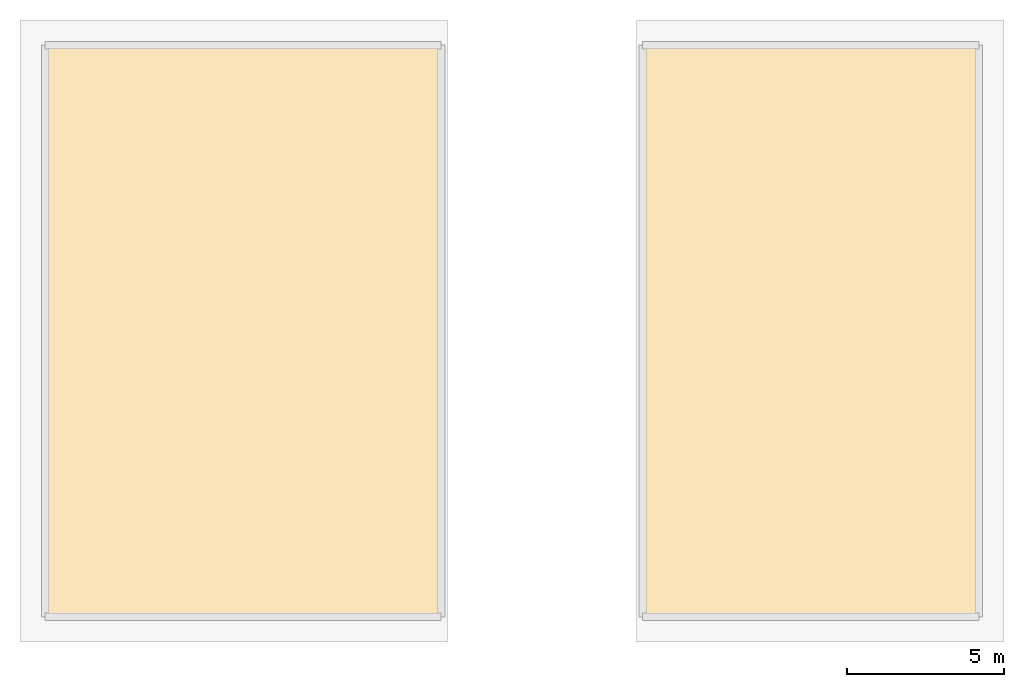
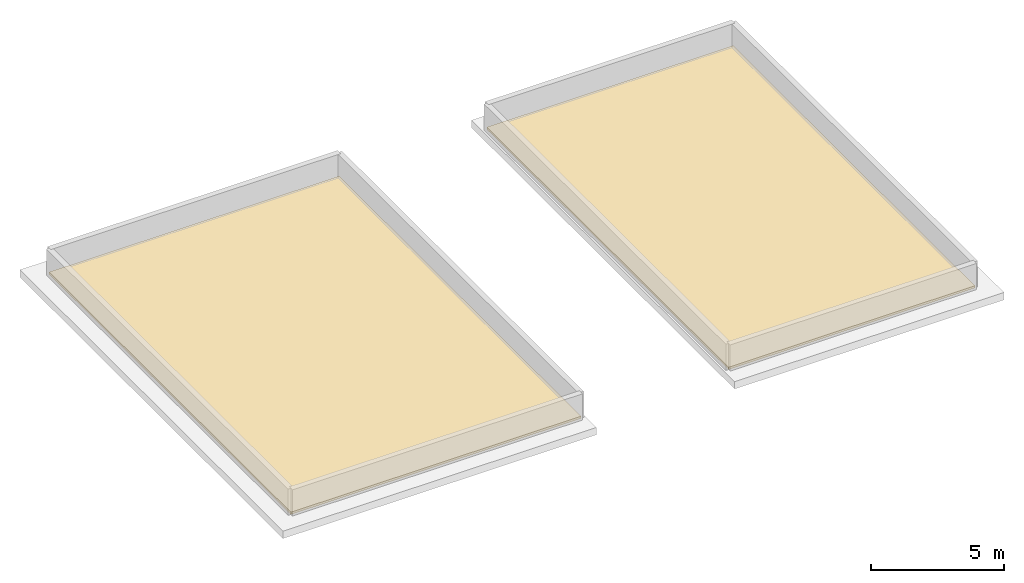
# One storey, part 2 of 2: 2 coverings.
"""IFC4 building model written with IfcOpenShell, lengths in metres."""

from ifc_helpers import new_model, si_unit, direction, frame, origin, place, context, subcontext, project, spatial, polyline, outline, extrude, material, layer, layer_set, type_object, element, save


model = new_model("IFC4")

# Units and contexts
model_context = context("Model", 3, precision=1e-05, world=origin(), true_north=direction((0.0, 1.0)))
body_context = subcontext(model_context, "Body", "Model", "MODEL_VIEW")
ifc_project = project(units=[si_unit("LENGTHUNIT", "METRE"), si_unit("AREAUNIT", "SQUARE_METRE"), si_unit("VOLUMEUNIT", "CUBIC_METRE"), si_unit("PLANEANGLEUNIT", "RADIAN"), si_unit("MASSUNIT", "GRAM", prefix="KILO")], contexts=[model_context])

# Site, building, storey
site_placement = place(None, origin())
site = spatial("IfcSite", under=ifc_project, at=site_placement, CompositionType="ELEMENT")
building_placement = place(site_placement, origin())
building = spatial("IfcBuilding", under=site, at=building_placement, Name="Solanera Arch Residences", CompositionType="ELEMENT")
storey_placement = place(building_placement, frame((0.0, 0.0, 302.580078125)))
storey = spatial("IfcBuildingStorey", under=building, at=storey_placement, Name="ROOF", CompositionType="ELEMENT", Elevation=302.580078125)

# Coverings
ifc_material = material(Name="TPO Insulated Waterproofing Membrane", Category="membrane")
ifc_layer = layer(ifc_material, 0.10009765625)
ifc_layer_set = layer_set([ifc_layer], Name="TPO Insulated Waterproofing Membrane")
covering_type = type_object("IfcCoveringType", Name="Insulated Roof Membrane RFG-100", PredefinedType="ROOFING", material=ifc_layer_set)
covering_1_placement = place(storey_placement, frame((0.0, 0.0, 0.33984375)))
element("IfcCovering", 1, at=covering_1_placement, inside=storey, type_object=covering_type, Name="Crown W Peak TPO Roof Membrane", PredefinedType="ROOFING", context=body_context, shape_type="SweptSolid", body=[
    extrude(outline(polyline([(10.219970703125, 21.6201171875), (22.800048828125, 21.6201171875), (22.800048828125, 39.780029296875), (10.219970703125, 39.780029296875), (10.219970703125, 21.6201171875)])), origin(), (0.0, 0.0, 1.0), 0.10009765625),
])
covering_2_placement = place(storey_placement, frame((0.0, 0.0, 0.33984375)))
element("IfcCovering", 2, at=covering_2_placement, inside=storey, type_object=covering_type, Name="Crown E Peak TPO Roof Membrane", PredefinedType="ROOFING", context=body_context, shape_type="SweptSolid", body=[
    extrude(outline(polyline([(29.199951171875, 21.6201171875), (39.8798828125, 21.6201171875), (39.8798828125, 39.780029296875), (29.199951171875, 39.780029296875), (29.199951171875, 21.6201171875)])), origin(), (0.0, 0.0, 1.0), 0.10009765625),
])

save(model, "model.ifc")
